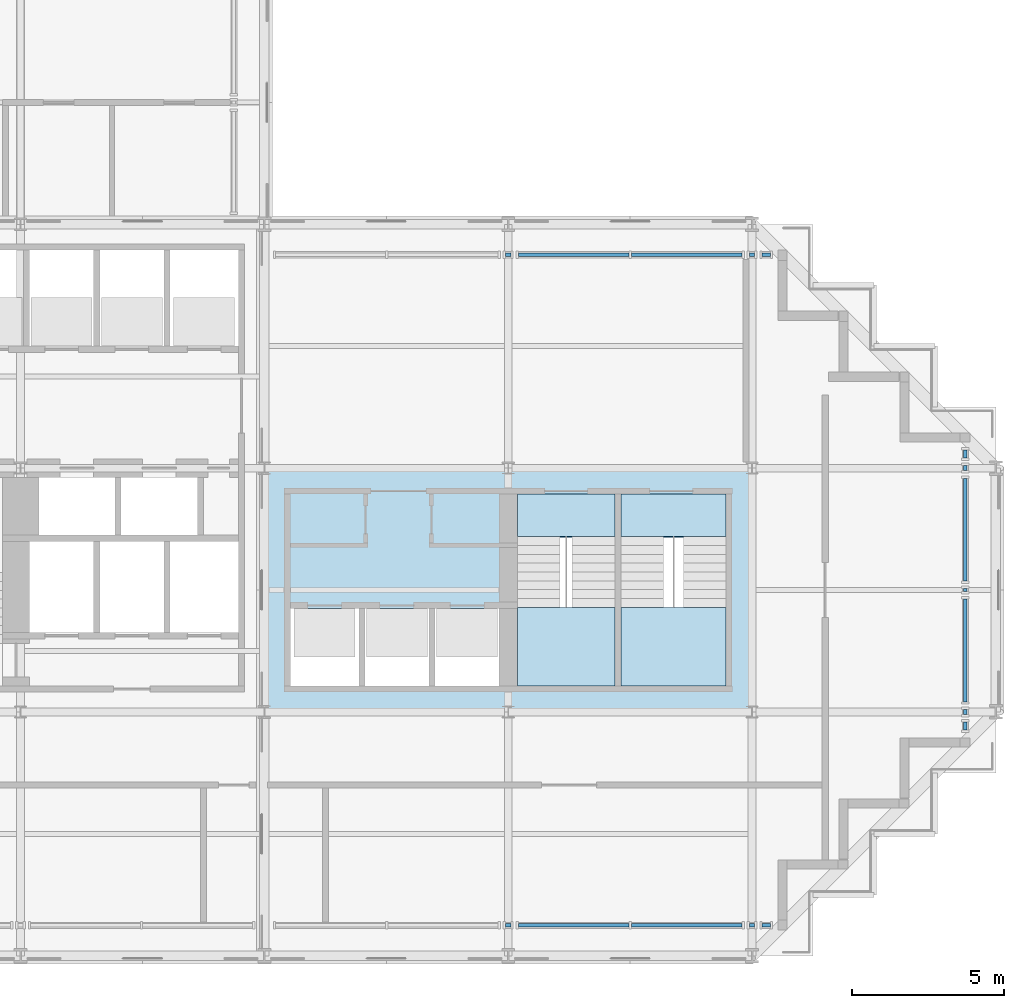
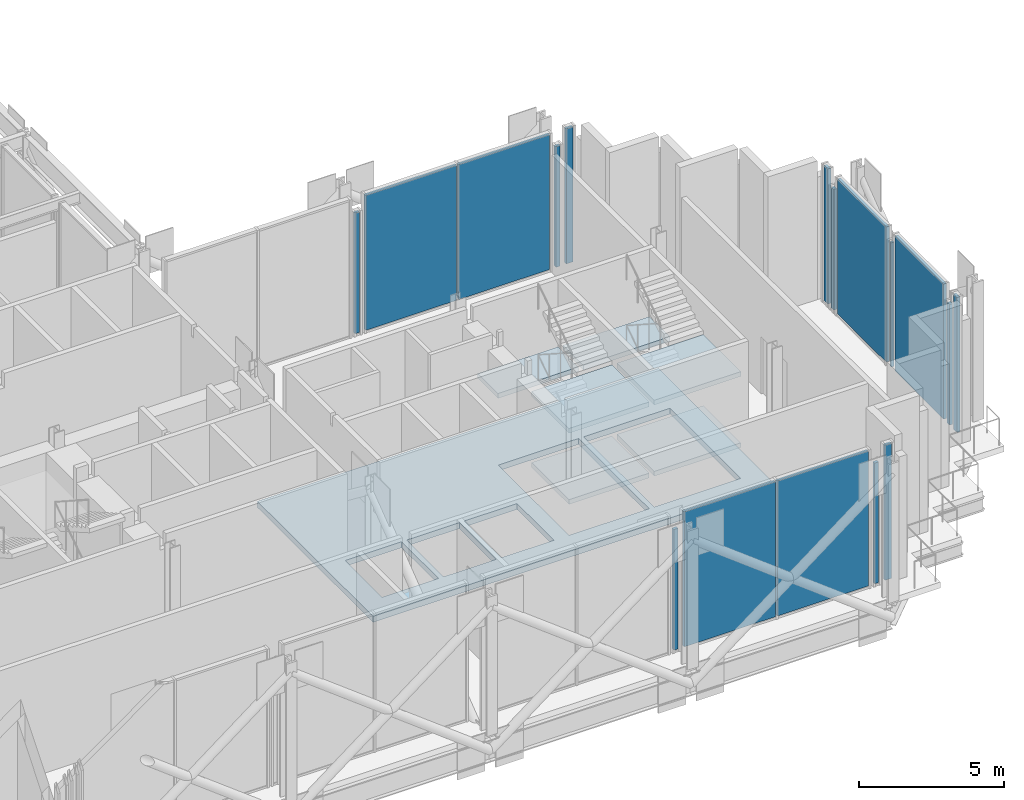
# One storey, part 14 of 23: 17 plates, 7 slabs, 17 elements without a shape of their own.
"""IFC4 building model written with IfcOpenShell, lengths in metres."""

from ifc_helpers import new_model, si_unit, direction, frame, origin, origin_2d, place, context, subcontext, project, spatial, polyline, rectangle, outline, extrude, material, layer, layer_set, type_object, element, aggregate, save


model = new_model("IFC4")

# Units and contexts
model_context = context("Model", 3, precision=1e-05, world=origin(), true_north=direction((0.0, 1.0)))
body_context = subcontext(model_context, "Body", "Model", "MODEL_VIEW")
ifc_project = project(units=[si_unit("LENGTHUNIT", "METRE"), si_unit("AREAUNIT", "SQUARE_METRE"), si_unit("VOLUMEUNIT", "CUBIC_METRE"), si_unit("PLANEANGLEUNIT", "RADIAN"), si_unit("MASSUNIT", "GRAM", prefix="KILO")], contexts=[model_context])

# Site, building, storey
site_placement = place(None, origin())
site = spatial("IfcSite", under=ifc_project, at=site_placement, CompositionType="ELEMENT")
building_placement = place(site_placement, origin())
building = spatial("IfcBuilding", under=site, at=building_placement, Name="Immortelle Media Tower", CompositionType="ELEMENT")
storey_placement = place(building_placement, frame((0.0, 0.0, 183.0)))
storey = spatial("IfcBuildingStorey", under=building, at=storey_placement, Name="L38", CompositionType="ELEMENT", Elevation=183.0)

# Slab
ifc_material_1 = material(Name="Concrete C50/60", Category="concrete")
ifc_layer_1 = layer(ifc_material_1, 0.25)
ifc_layer_set_1 = layer_set([ifc_layer_1], Name="Concrete C50/60")
slab_type_1 = type_object("IfcSlabType", Name="Core floor slab 250", PredefinedType="FLOOR", material=ifc_layer_set_1)
slab_1_placement = place(storey_placement, frame((0.0, 0.0, -0.25)))
element("IfcSlab", 1, at=slab_1_placement, inside=storey, type_object=slab_type_1, Name="Core floor SE", PredefinedType="FLOOR", context=body_context, shape_type="SweptSolid", body=[
    extrude(outline(polyline([(24.0, 8.0), (40.0, 8.0), (40.0, 16.0), (24.0, 16.0), (24.0, 8.0)]), holes=[polyline([(24.85009765625, 8.85009765625), (27.10009765625, 8.85009765625), (27.10009765625, 11.39990234375), (24.85009765625, 11.39990234375), (24.85009765625, 8.85009765625)]), polyline([(27.300048828125, 8.85009765625), (29.39990234375, 8.85009765625), (29.39990234375, 11.39990234375), (27.300048828125, 11.39990234375), (27.300048828125, 8.85009765625)]), polyline([(29.60009765625, 8.85009765625), (31.699951171875, 8.85009765625), (31.699951171875, 11.39990234375), (29.60009765625, 11.39990234375), (29.60009765625, 8.85009765625)]), polyline([(32.300048828125, 8.85009765625), (35.5, 8.85009765625), (35.5, 13.72998046875), (32.300048828125, 13.72998046875), (32.300048828125, 8.85009765625)]), polyline([(35.699951171875, 8.85009765625), (39.14990234375, 8.85009765625), (39.14990234375, 13.72998046875), (35.699951171875, 13.72998046875), (35.699951171875, 8.85009765625)])]), origin(), (0.0, 0.0, 1.0), 0.25),
])

# Curtain wall, plate
ifc_material_2 = material(Name="Aluminium curtain wall system", Category="aluminium")
curtain_wall_type = type_object("IfcCurtainWallType", Name="Plant louvre wall curtain wall", PredefinedType="NOTDEFINED", material=ifc_material_2)
curtain_wall_1_placement = place(storey_placement, origin())
curtain_wall_1 = element("IfcCurtainWall", 2, at=curtain_wall_1_placement, inside=storey, type_object=curtain_wall_type, Name="Plant louvre wall L38 S 7-8", PredefinedType="NOTDEFINED")
ifc_material_3 = material(Name="Pale aluminium louvre panel", Category="aluminium")
ifc_layer_2 = layer(ifc_material_3, 0.1201171875)
ifc_layer_set_2 = layer_set([ifc_layer_2], Name="Pale aluminium louvre panel")
plate_type = type_object("IfcPlateType", Name="Dust and storm rated louvre panel 120 mm", PredefinedType="CURTAIN_PANEL", material=ifc_layer_set_2)
plate_1_placement = place(storey_placement, frame((32.0, 1.0, 0.080078125), z_axis=(0.0, 0.0, 1.0), x_axis=(1.0, 0.0, 0.0)))
plate_1 = element("IfcPlate", 3, at=plate_1_placement, type_object=plate_type, Name="CW6 panel 1.1", PredefinedType="CURTAIN_PANEL", context=body_context, shape_type="SweptSolid", body=[
    extrude(rectangle(XDim=0.16796875, YDim=0.1201171875, at=origin_2d()), origin(), (0.0, 0.0, 1.0), 5.08740234375),
])
aggregate(curtain_wall_1, [plate_1])

# Curtain wall, plates
curtain_wall_2_placement = place(storey_placement, origin())
curtain_wall_2 = element("IfcCurtainWall", 4, at=curtain_wall_2_placement, inside=storey, type_object=curtain_wall_type, Name="Plant louvre wall L38 S 7-9", PredefinedType="NOTDEFINED")
plate_2_placement = place(storey_placement, frame((34.14697265625, 1.0, 0.080078125), z_axis=(0.0, 0.0, 1.0), x_axis=(1.0, 0.0, 0.0)))
plate_2 = element("IfcPlate", 5, at=plate_2_placement, type_object=plate_type, Name="CW6 panel 1.1", PredefinedType="CURTAIN_PANEL", context=body_context, shape_type="SweptSolid", body=[
    extrude(rectangle(XDim=3.6259765625, YDim=0.1201171875, at=origin_2d()), origin(), (0.0, 0.0, 1.0), 5.689453125),
])
plate_3_placement = place(storey_placement, frame((37.85302734375, 1.0, 0.080078125), z_axis=(0.0, 0.0, 1.0), x_axis=(1.0, 0.0, 0.0)))
plate_3 = element("IfcPlate", 6, at=plate_3_placement, type_object=plate_type, Name="CW6 panel 2.1", PredefinedType="CURTAIN_PANEL", context=body_context, shape_type="SweptSolid", body=[
    extrude(rectangle(XDim=3.6259765625, YDim=0.1201171875, at=origin_2d()), origin(), (0.0, 0.0, 1.0), 5.689453125),
])
aggregate(curtain_wall_2, [plate_2, plate_3])

# Curtain wall, plate
curtain_wall_3_placement = place(storey_placement, origin())
curtain_wall_3 = element("IfcCurtainWall", 7, at=curtain_wall_3_placement, inside=storey, type_object=curtain_wall_type, Name="Plant louvre wall L38 S 7-10", PredefinedType="NOTDEFINED")
plate_4_placement = place(storey_placement, frame((40.0, 1.0, 0.080078125), z_axis=(0.0, 0.0, 1.0), x_axis=(1.0, 0.0, 0.0)))
plate_4 = element("IfcPlate", 8, at=plate_4_placement, type_object=plate_type, Name="CW6 panel 1.1", PredefinedType="CURTAIN_PANEL", context=body_context, shape_type="SweptSolid", body=[
    extrude(rectangle(XDim=0.16796875, YDim=0.1201171875, at=origin_2d()), origin(), (0.0, 0.0, 1.0), 5.08740234375),
])
aggregate(curtain_wall_3, [plate_4])

curtain_wall_4_placement = place(storey_placement, origin())
curtain_wall_4 = element("IfcCurtainWall", 9, at=curtain_wall_4_placement, inside=storey, type_object=curtain_wall_type, Name="Plant louvre wall L38 S 7-11", PredefinedType="NOTDEFINED")
plate_5_placement = place(storey_placement, frame((40.466064453125, 1.0, 0.080078125), z_axis=(0.0, 0.0, 1.0), x_axis=(1.0, 0.0, 0.0)))
plate_5 = element("IfcPlate", 10, at=plate_5_placement, type_object=plate_type, Name="CW6 panel 1.1", PredefinedType="CURTAIN_PANEL", context=body_context, shape_type="SweptSolid", body=[
    extrude(rectangle(XDim=0.26416015625, YDim=0.1201171875, at=origin_2d()), origin(), (0.0, 0.0, 1.0), 5.689453125),
])
aggregate(curtain_wall_4, [plate_5])

curtain_wall_5_placement = place(storey_placement, origin())
curtain_wall_5 = element("IfcCurtainWall", 11, at=curtain_wall_5_placement, inside=storey, type_object=curtain_wall_type, Name="Plant louvre wall L38 E 14-2", PredefinedType="NOTDEFINED")
plate_6_placement = place(storey_placement, frame((47.0, 7.533935546875, 0.080078125), z_axis=(0.0, 0.0, 1.0), x_axis=(0.0, 1.0, 0.0)))
plate_6 = element("IfcPlate", 12, at=plate_6_placement, type_object=plate_type, Name="CW6 panel 1.1", PredefinedType="CURTAIN_PANEL", context=body_context, shape_type="SweptSolid", body=[
    extrude(rectangle(XDim=0.26416015625, YDim=0.1201171875, at=origin_2d()), origin(), (0.0, 0.0, 1.0), 5.689453125),
])
aggregate(curtain_wall_5, [plate_6])

curtain_wall_6_placement = place(storey_placement, origin())
curtain_wall_6 = element("IfcCurtainWall", 13, at=curtain_wall_6_placement, inside=storey, type_object=curtain_wall_type, Name="Plant louvre wall L38 E 14-3", PredefinedType="NOTDEFINED")
plate_7_placement = place(storey_placement, frame((47.0, 8.0, 0.080078125), z_axis=(0.0, 0.0, 1.0), x_axis=(0.0, 1.0, 0.0)))
plate_7 = element("IfcPlate", 14, at=plate_7_placement, type_object=plate_type, Name="CW6 panel 1.1", PredefinedType="CURTAIN_PANEL", context=body_context, shape_type="SweptSolid", body=[
    extrude(rectangle(XDim=0.16796875, YDim=0.1201171875, at=origin_2d()), origin(), (0.0, 0.0, 1.0), 5.08740234375),
])
aggregate(curtain_wall_6, [plate_7])

curtain_wall_7_placement = place(storey_placement, origin())
curtain_wall_7 = element("IfcCurtainWall", 15, at=curtain_wall_7_placement, inside=storey, type_object=curtain_wall_type, Name="Plant louvre wall L38 E 14-4", PredefinedType="NOTDEFINED")
plate_8_placement = place(storey_placement, frame((47.0, 10.018798828125, 0.080078125), z_axis=(0.0, 0.0, 1.0), x_axis=(0.0, 1.0, 0.0)))
plate_8 = element("IfcPlate", 16, at=plate_8_placement, type_object=plate_type, Name="CW6 panel 1.1", PredefinedType="CURTAIN_PANEL", context=body_context, shape_type="SweptSolid", body=[
    extrude(rectangle(XDim=3.369384765625, YDim=0.1201171875, at=origin_2d()), origin(), (0.0, 0.0, 1.0), 5.689453125),
])
aggregate(curtain_wall_7, [plate_8])

curtain_wall_8_placement = place(storey_placement, origin())
curtain_wall_8 = element("IfcCurtainWall", 17, at=curtain_wall_8_placement, inside=storey, type_object=curtain_wall_type, Name="Plant louvre wall L38 E 14-5", PredefinedType="NOTDEFINED")
plate_9_placement = place(storey_placement, frame((47.0, 12.0, 0.080078125), z_axis=(0.0, 0.0, 1.0), x_axis=(0.0, 1.0, 0.0)))
plate_9 = element("IfcPlate", 18, at=plate_9_placement, type_object=plate_type, Name="CW6 panel 1.1", PredefinedType="CURTAIN_PANEL", context=body_context, shape_type="SweptSolid", body=[
    extrude(rectangle(XDim=0.093017578125, YDim=0.1201171875, at=origin_2d()), origin(), (0.0, 0.0, 1.0), 5.234619140625),
])
aggregate(curtain_wall_8, [plate_9])

curtain_wall_9_placement = place(storey_placement, origin())
curtain_wall_9 = element("IfcCurtainWall", 19, at=curtain_wall_9_placement, inside=storey, type_object=curtain_wall_type, Name="Plant louvre wall L38 E 14-6", PredefinedType="NOTDEFINED")
plate_10_placement = place(storey_placement, frame((47.0, 13.981201171875, 0.080078125), z_axis=(0.0, 0.0, 1.0), x_axis=(0.0, 1.0, 0.0)))
plate_10 = element("IfcPlate", 20, at=plate_10_placement, type_object=plate_type, Name="CW6 panel 1.1", PredefinedType="CURTAIN_PANEL", context=body_context, shape_type="SweptSolid", body=[
    extrude(rectangle(XDim=3.369384765625, YDim=0.1201171875, at=origin_2d()), origin(), (0.0, 0.0, 1.0), 5.689453125),
])
aggregate(curtain_wall_9, [plate_10])

curtain_wall_10_placement = place(storey_placement, origin())
curtain_wall_10 = element("IfcCurtainWall", 21, at=curtain_wall_10_placement, inside=storey, type_object=curtain_wall_type, Name="Plant louvre wall L38 E 14-7", PredefinedType="NOTDEFINED")
plate_11_placement = place(storey_placement, frame((47.0, 16.0, 0.080078125), z_axis=(0.0, 0.0, 1.0), x_axis=(0.0, 1.0, 0.0)))
plate_11 = element("IfcPlate", 22, at=plate_11_placement, type_object=plate_type, Name="CW6 panel 1.1", PredefinedType="CURTAIN_PANEL", context=body_context, shape_type="SweptSolid", body=[
    extrude(rectangle(XDim=0.16796875, YDim=0.1201171875, at=origin_2d()), origin(), (0.0, 0.0, 1.0), 5.08740234375),
])
aggregate(curtain_wall_10, [plate_11])

curtain_wall_11_placement = place(storey_placement, origin())
curtain_wall_11 = element("IfcCurtainWall", 23, at=curtain_wall_11_placement, inside=storey, type_object=curtain_wall_type, Name="Plant louvre wall L38 E 14-8", PredefinedType="NOTDEFINED")
plate_12_placement = place(storey_placement, frame((47.0, 16.466064453125, 0.080078125), z_axis=(0.0, 0.0, 1.0), x_axis=(0.0, 1.0, 0.0)))
plate_12 = element("IfcPlate", 24, at=plate_12_placement, type_object=plate_type, Name="CW6 panel 1.1", PredefinedType="CURTAIN_PANEL", context=body_context, shape_type="SweptSolid", body=[
    extrude(rectangle(XDim=0.26416015625, YDim=0.1201171875, at=origin_2d()), origin(), (0.0, 0.0, 1.0), 5.689453125),
])
aggregate(curtain_wall_11, [plate_12])

curtain_wall_12_placement = place(storey_placement, origin())
curtain_wall_12 = element("IfcCurtainWall", 25, at=curtain_wall_12_placement, inside=storey, type_object=curtain_wall_type, Name="Plant louvre wall L38 N 21-2", PredefinedType="NOTDEFINED")
plate_13_placement = place(storey_placement, frame((40.466064453125, 23.0, 0.080078125), z_axis=(0.0, 0.0, 1.0), x_axis=(-1.0, 0.0, 0.0)))
plate_13 = element("IfcPlate", 26, at=plate_13_placement, type_object=plate_type, Name="CW6 panel 1.1", PredefinedType="CURTAIN_PANEL", context=body_context, shape_type="SweptSolid", body=[
    extrude(rectangle(XDim=0.26416015625, YDim=0.1201171875, at=origin_2d()), origin(), (0.0, 0.0, 1.0), 5.689453125),
])
aggregate(curtain_wall_12, [plate_13])

curtain_wall_13_placement = place(storey_placement, origin())
curtain_wall_13 = element("IfcCurtainWall", 27, at=curtain_wall_13_placement, inside=storey, type_object=curtain_wall_type, Name="Plant louvre wall L38 N 21-3", PredefinedType="NOTDEFINED")
plate_14_placement = place(storey_placement, frame((40.0, 23.0, 0.080078125), z_axis=(0.0, 0.0, 1.0), x_axis=(-1.0, 0.0, 0.0)))
plate_14 = element("IfcPlate", 28, at=plate_14_placement, type_object=plate_type, Name="CW6 panel 1.1", PredefinedType="CURTAIN_PANEL", context=body_context, shape_type="SweptSolid", body=[
    extrude(rectangle(XDim=0.16796875, YDim=0.1201171875, at=origin_2d()), origin(), (0.0, 0.0, 1.0), 5.08740234375),
])
aggregate(curtain_wall_13, [plate_14])

# Curtain wall, plates
curtain_wall_14_placement = place(storey_placement, origin())
curtain_wall_14 = element("IfcCurtainWall", 29, at=curtain_wall_14_placement, inside=storey, type_object=curtain_wall_type, Name="Plant louvre wall L38 N 21-4", PredefinedType="NOTDEFINED")
plate_15_placement = place(storey_placement, frame((37.85302734375, 23.0, 0.080078125), z_axis=(0.0, 0.0, 1.0), x_axis=(-1.0, 0.0, 0.0)))
plate_15 = element("IfcPlate", 30, at=plate_15_placement, type_object=plate_type, Name="CW6 panel 1.1", PredefinedType="CURTAIN_PANEL", context=body_context, shape_type="SweptSolid", body=[
    extrude(rectangle(XDim=3.6259765625, YDim=0.1201171875, at=origin_2d()), origin(), (0.0, 0.0, 1.0), 5.689453125),
])
plate_16_placement = place(storey_placement, frame((34.14697265625, 23.0, 0.080078125), z_axis=(0.0, 0.0, 1.0), x_axis=(-1.0, 0.0, 0.0)))
plate_16 = element("IfcPlate", 31, at=plate_16_placement, type_object=plate_type, Name="CW6 panel 2.1", PredefinedType="CURTAIN_PANEL", context=body_context, shape_type="SweptSolid", body=[
    extrude(rectangle(XDim=3.6259765625, YDim=0.1201171875, at=origin_2d()), origin(), (0.0, 0.0, 1.0), 5.689453125),
])
aggregate(curtain_wall_14, [plate_15, plate_16])

# Curtain wall, plate
curtain_wall_15_placement = place(storey_placement, origin())
curtain_wall_15 = element("IfcCurtainWall", 32, at=curtain_wall_15_placement, inside=storey, type_object=curtain_wall_type, Name="Plant louvre wall L38 N 21-5", PredefinedType="NOTDEFINED")
plate_17_placement = place(storey_placement, frame((32.0, 23.0, 0.080078125), z_axis=(0.0, 0.0, 1.0), x_axis=(-1.0, 0.0, 0.0)))
plate_17 = element("IfcPlate", 33, at=plate_17_placement, type_object=plate_type, Name="CW6 panel 1.1", PredefinedType="CURTAIN_PANEL", context=body_context, shape_type="SweptSolid", body=[
    extrude(rectangle(XDim=0.16796875, YDim=0.1201171875, at=origin_2d()), origin(), (0.0, 0.0, 1.0), 5.08740234375),
])
aggregate(curtain_wall_15, [plate_17])

# Stair, slabs
ifc_material_4 = material(Name="Steel ASTM A992 Gr 50", Category="steel")
stair_type = type_object("IfcStairType", Name="Stair with flights", PredefinedType="DOUBLE_RETURN_STAIR", material=ifc_material_4)
stair_1_placement = place(storey_placement, origin())
stair_1 = element("IfcStair", 34, at=stair_1_placement, inside=storey, type_object=stair_type, Name="Exit stair SE1", PredefinedType="DOUBLE_RETURN_STAIR")
ifc_material_5 = material(Name="Steel ASTM A572 Gr 50", Category="steel")
ifc_layer_3 = layer(ifc_material_5, 0.199951171875)
ifc_layer_set_3 = layer_set([ifc_layer_3], Name="Steel ASTM A572 Gr 50")
slab_type_2 = type_object("IfcSlabType", Name="Stair landing 200", PredefinedType="LANDING", material=ifc_layer_set_3)
slab_2_placement = place(storey_placement, frame((0.0, 0.0, 1.300048828125)))
slab_2 = element("IfcSlab", 35, at=slab_2_placement, type_object=slab_type_2, Name="ST SE1 landing 1", PredefinedType="LANDING", context=body_context, shape_type="SweptSolid", body=[
    extrude(outline(polyline([(32.300048828125, 8.85009765625), (35.5, 8.85009765625), (35.5, 11.429931640625), (32.300048828125, 11.429931640625), (32.300048828125, 8.85009765625)])), origin(), (0.0, 0.0, 1.0), 0.199951171875),
])
slab_3_placement = place(storey_placement, frame((0.0, 0.0, 2.800048828125)))
slab_3 = element("IfcSlab", 36, at=slab_3_placement, type_object=slab_type_2, Name="ST SE1 landing 2", PredefinedType="LANDING", context=body_context, shape_type="SweptSolid", body=[
    extrude(outline(polyline([(32.300048828125, 13.75), (35.5, 13.75), (35.5, 15.14990234375), (32.300048828125, 15.14990234375), (32.300048828125, 13.75)])), origin(), (0.0, 0.0, 1.0), 0.199951171875),
])
slab_4_placement = place(storey_placement, frame((0.0, 0.0, 4.300048828125)))
slab_4 = element("IfcSlab", 37, at=slab_4_placement, type_object=slab_type_2, Name="ST SE1 landing 3", PredefinedType="LANDING", context=body_context, shape_type="SweptSolid", body=[
    extrude(outline(polyline([(32.300048828125, 8.85009765625), (35.5, 8.85009765625), (35.5, 11.429931640625), (32.300048828125, 11.429931640625), (32.300048828125, 8.85009765625)])), origin(), (0.0, 0.0, 1.0), 0.199951171875),
])
aggregate(stair_1, [slab_2, slab_3, slab_4])

stair_2_placement = place(storey_placement, origin())
stair_2 = element("IfcStair", 38, at=stair_2_placement, inside=storey, type_object=stair_type, Name="Exit stair SE2", PredefinedType="DOUBLE_RETURN_STAIR")
slab_5_placement = place(storey_placement, frame((0.0, 0.0, 1.300048828125)))
slab_5 = element("IfcSlab", 39, at=slab_5_placement, type_object=slab_type_2, Name="ST SE2 landing 1", PredefinedType="LANDING", context=body_context, shape_type="SweptSolid", body=[
    extrude(outline(polyline([(35.699951171875, 8.85009765625), (39.14990234375, 8.85009765625), (39.14990234375, 11.429931640625), (35.699951171875, 11.429931640625), (35.699951171875, 8.85009765625)])), origin(), (0.0, 0.0, 1.0), 0.199951171875),
])
slab_6_placement = place(storey_placement, frame((0.0, 0.0, 2.800048828125)))
slab_6 = element("IfcSlab", 40, at=slab_6_placement, type_object=slab_type_2, Name="ST SE2 landing 2", PredefinedType="LANDING", context=body_context, shape_type="SweptSolid", body=[
    extrude(outline(polyline([(35.699951171875, 13.75), (39.14990234375, 13.75), (39.14990234375, 15.14990234375), (35.699951171875, 15.14990234375), (35.699951171875, 13.75)])), origin(), (0.0, 0.0, 1.0), 0.199951171875),
])
slab_7_placement = place(storey_placement, frame((0.0, 0.0, 4.300048828125)))
slab_7 = element("IfcSlab", 41, at=slab_7_placement, type_object=slab_type_2, Name="ST SE2 landing 3", PredefinedType="LANDING", context=body_context, shape_type="SweptSolid", body=[
    extrude(outline(polyline([(35.699951171875, 8.85009765625), (39.14990234375, 8.85009765625), (39.14990234375, 11.429931640625), (35.699951171875, 11.429931640625), (35.699951171875, 8.85009765625)])), origin(), (0.0, 0.0, 1.0), 0.199951171875),
])
aggregate(stair_2, [slab_5, slab_6, slab_7])

save(model, "model.ifc")
